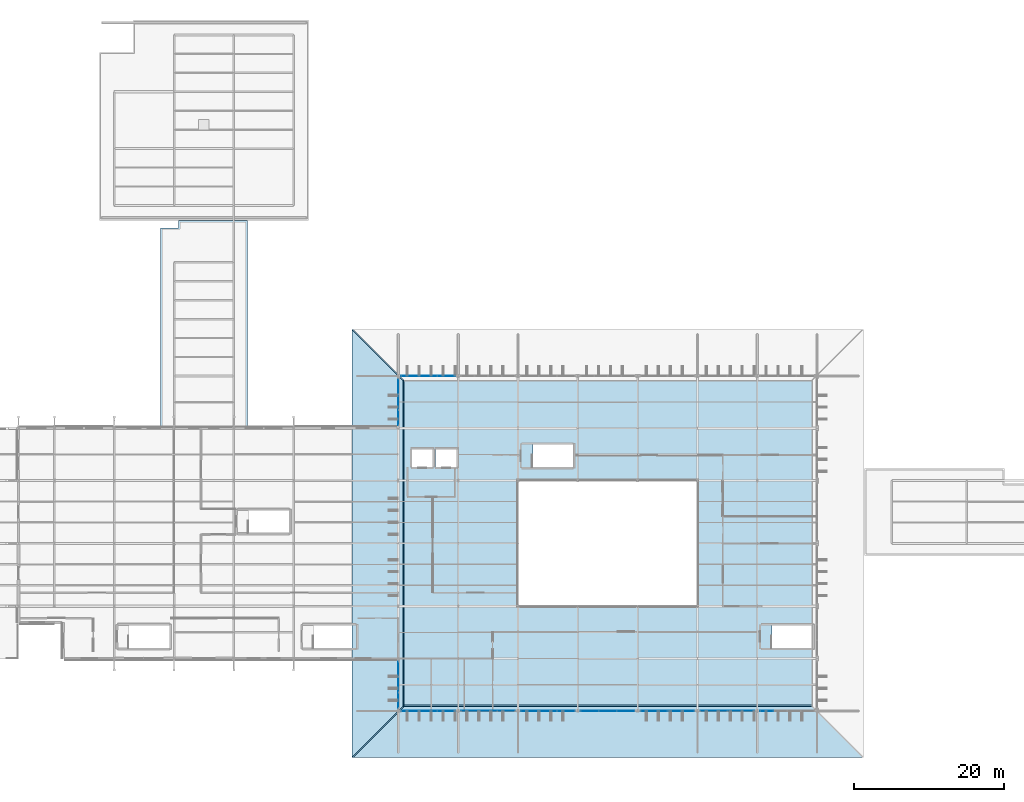
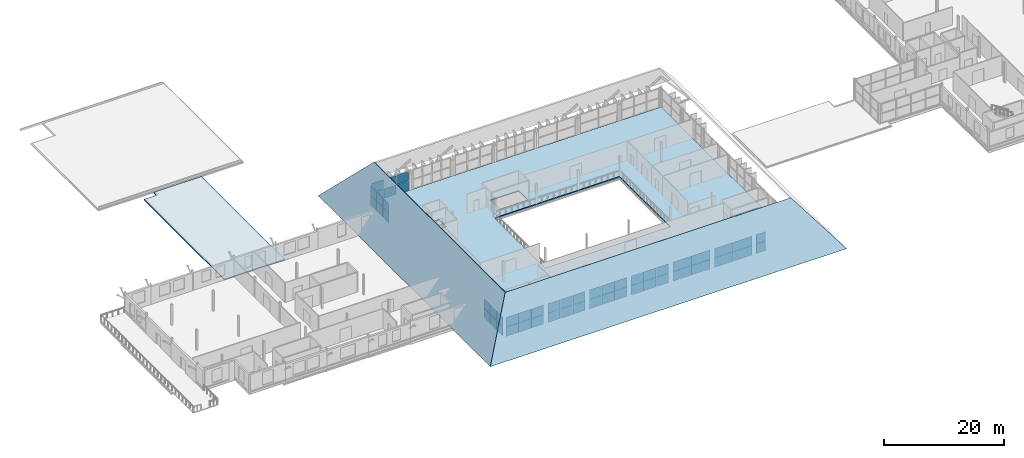
# One storey, part 75 of 93: 52 plates, 4 slabs, 10 elements without a shape of their own.
"""IFC4 building model written with IfcOpenShell, lengths in metres."""

from ifc_helpers import new_model, si_unit, direction, frame, origin, origin_2d, place, context, subcontext, project, spatial, polyline, rectangle, outline, extrude, material, layer, layer_set, type_object, element, aggregate, save


model = new_model("IFC4")

# Units and contexts
model_context = context("Model", 3, precision=1e-05, world=origin(), true_north=direction((0.0, 1.0)))
body_context = subcontext(model_context, "Body", "Model", "MODEL_VIEW")
ifc_project = project(units=[si_unit("LENGTHUNIT", "METRE"), si_unit("AREAUNIT", "SQUARE_METRE"), si_unit("VOLUMEUNIT", "CUBIC_METRE"), si_unit("PLANEANGLEUNIT", "RADIAN"), si_unit("MASSUNIT", "GRAM", prefix="KILO")], contexts=[model_context])

# Site, building, storey
site_placement = place(None, origin())
site = spatial("IfcSite", under=ifc_project, at=site_placement, CompositionType="ELEMENT")
building_placement = place(site_placement, origin())
building = spatial("IfcBuilding", under=site, at=building_placement, Name="Vekula Escarpment Museum", CompositionType="ELEMENT")
storey_placement = place(building_placement, frame((0.0, 0.0, 22.199951171875)))
storey = spatial("IfcBuildingStorey", under=building, at=storey_placement, Name="L05", CompositionType="ELEMENT", Elevation=22.199951171875)

# Curtain wall, plates
ifc_material_1 = material(Name="Aluminium thermally broken framing", Category="aluminium")
ifc_layer_1 = layer(ifc_material_1, 0.199951171875)
ifc_layer_set_1 = layer_set([ifc_layer_1], Name="Aluminium thermally broken framing")
curtain_wall_type_1 = type_object("IfcCurtainWallType", Name="CW-SYS-04", PredefinedType="NOTDEFINED", material=ifc_layer_set_1)
curtain_wall_1_placement = place(storey_placement, origin())
curtain_wall_1 = element("IfcCurtainWall", 1, at=curtain_wall_1_placement, inside=storey, type_object=curtain_wall_type_1, Name="Curtain Wall CW-L05-164", PredefinedType="NOTDEFINED")
ifc_material_2 = material(Name="Double solar-control low-E glass", Category="glass")
ifc_layer_2 = layer(ifc_material_2, 0.028076171875)
ifc_layer_set_2 = layer_set([ifc_layer_2], Name="Double solar-control low-E glass")
plate_type_1 = type_object("IfcPlateType", Name="CW-PNL-28", PredefinedType="CURTAIN_PANEL", material=ifc_layer_set_2)
plate_1_placement = place(storey_placement, frame((79.58837890625, 45.60009765625, 0.06005859375), z_axis=(0.0, 0.0, 1.0), x_axis=(1.0, 0.0, 0.0)))
plate_1 = element("IfcPlate", 2, at=plate_1_placement, type_object=plate_type_1, Name="CW-04 panel 1.1", PredefinedType="CURTAIN_PANEL", context=body_context, shape_type="SweptSolid", body=[
    extrude(rectangle(XDim=2.336669921875, YDim=0.028076171875, at=origin_2d()), origin(), (0.0, 0.0, 1.0), 1.89990234375),
])
plate_2_placement = place(storey_placement, frame((79.58837890625, 45.60009765625, 2.02001953125), z_axis=(0.0, 0.0, 1.0), x_axis=(1.0, 0.0, 0.0)))
plate_2 = element("IfcPlate", 3, at=plate_2_placement, type_object=plate_type_1, Name="CW-04 panel 1.2", PredefinedType="CURTAIN_PANEL", context=body_context, shape_type="SweptSolid", body=[
    extrude(rectangle(XDim=2.336669921875, YDim=0.028076171875, at=origin_2d()), origin(), (0.0, 0.0, 1.0), 1.89990234375),
])
plate_3_placement = place(storey_placement, frame((82.0, 45.60009765625, 0.06005859375), z_axis=(0.0, 0.0, 1.0), x_axis=(1.0, 0.0, 0.0)))
plate_3 = element("IfcPlate", 4, at=plate_3_placement, type_object=plate_type_1, Name="CW-04 panel 2.1", PredefinedType="CURTAIN_PANEL", context=body_context, shape_type="SweptSolid", body=[
    extrude(rectangle(XDim=2.36669921875, YDim=0.028076171875, at=origin_2d()), origin(), (0.0, 0.0, 1.0), 1.89990234375),
])
plate_4_placement = place(storey_placement, frame((82.0, 45.60009765625, 2.02001953125), z_axis=(0.0, 0.0, 1.0), x_axis=(1.0, 0.0, 0.0)))
plate_4 = element("IfcPlate", 5, at=plate_4_placement, type_object=plate_type_1, Name="CW-04 panel 2.2", PredefinedType="CURTAIN_PANEL", context=body_context, shape_type="SweptSolid", body=[
    extrude(rectangle(XDim=2.36669921875, YDim=0.028076171875, at=origin_2d()), origin(), (0.0, 0.0, 1.0), 1.89990234375),
])
plate_5_placement = place(storey_placement, frame((84.41162109375, 45.60009765625, 0.06005859375), z_axis=(0.0, 0.0, 1.0), x_axis=(1.0, 0.0, 0.0)))
plate_5 = element("IfcPlate", 6, at=plate_5_placement, type_object=plate_type_1, Name="CW-04 panel 3.1", PredefinedType="CURTAIN_PANEL", context=body_context, shape_type="SweptSolid", body=[
    extrude(rectangle(XDim=2.336669921875, YDim=0.028076171875, at=origin_2d()), origin(), (0.0, 0.0, 1.0), 1.89990234375),
])
plate_6_placement = place(storey_placement, frame((84.41162109375, 45.60009765625, 2.02001953125), z_axis=(0.0, 0.0, 1.0), x_axis=(1.0, 0.0, 0.0)))
plate_6 = element("IfcPlate", 7, at=plate_6_placement, type_object=plate_type_1, Name="CW-04 panel 3.2", PredefinedType="CURTAIN_PANEL", context=body_context, shape_type="SweptSolid", body=[
    extrude(rectangle(XDim=2.336669921875, YDim=0.028076171875, at=origin_2d()), origin(), (0.0, 0.0, 1.0), 1.89990234375),
])
aggregate(curtain_wall_1, [plate_1, plate_2, plate_3, plate_4, plate_5, plate_6])

ifc_material_3 = material(Name="Aluminium thermally broken framing", Category="aluminium")
ifc_layer_3 = layer(ifc_material_3, 0.179931640625)
ifc_layer_set_3 = layer_set([ifc_layer_3], Name="Aluminium thermally broken framing")
curtain_wall_type_2 = type_object("IfcCurtainWallType", Name="CW-SYS-08", PredefinedType="NOTDEFINED", material=ifc_layer_set_3)
curtain_wall_2_placement = place(storey_placement, origin())
curtain_wall_2 = element("IfcCurtainWall", 8, at=curtain_wall_2_placement, inside=storey, type_object=curtain_wall_type_2, Name="Curtain Wall CW-L05-168", PredefinedType="NOTDEFINED")
plate_7_placement = place(storey_placement, frame((112.195068359375, 45.60009765625, 0.06005859375), z_axis=(0.0, 0.0, 1.0), x_axis=(1.0, 0.0, 0.0)))
plate_7 = element("IfcPlate", 9, at=plate_7_placement, type_object=plate_type_1, Name="CW-08 panel 1.1", PredefinedType="CURTAIN_PANEL", context=body_context, shape_type="SweptSolid", body=[
    extrude(rectangle(XDim=3.550048828125, YDim=0.028076171875, at=origin_2d()), origin(), (0.0, 0.0, 1.0), 1.89990234375),
])
plate_8_placement = place(storey_placement, frame((112.195068359375, 45.60009765625, 2.02001953125), z_axis=(0.0, 0.0, 1.0), x_axis=(1.0, 0.0, 0.0)))
plate_8 = element("IfcPlate", 10, at=plate_8_placement, type_object=plate_type_1, Name="CW-08 panel 1.2", PredefinedType="CURTAIN_PANEL", context=body_context, shape_type="SweptSolid", body=[
    extrude(rectangle(XDim=3.550048828125, YDim=0.028076171875, at=origin_2d()), origin(), (0.0, 0.0, 1.0), 1.89990234375),
])
plate_9_placement = place(storey_placement, frame((115.804931640625, 45.60009765625, 0.06005859375), z_axis=(0.0, 0.0, 1.0), x_axis=(1.0, 0.0, 0.0)))
plate_9 = element("IfcPlate", 11, at=plate_9_placement, type_object=plate_type_1, Name="CW-08 panel 2.1", PredefinedType="CURTAIN_PANEL", context=body_context, shape_type="SweptSolid", body=[
    extrude(rectangle(XDim=3.550048828125, YDim=0.028076171875, at=origin_2d()), origin(), (0.0, 0.0, 1.0), 1.89990234375),
])
plate_10_placement = place(storey_placement, frame((115.804931640625, 45.60009765625, 2.02001953125), z_axis=(0.0, 0.0, 1.0), x_axis=(1.0, 0.0, 0.0)))
plate_10 = element("IfcPlate", 12, at=plate_10_placement, type_object=plate_type_1, Name="CW-08 panel 2.2", PredefinedType="CURTAIN_PANEL", context=body_context, shape_type="SweptSolid", body=[
    extrude(rectangle(XDim=3.550048828125, YDim=0.028076171875, at=origin_2d()), origin(), (0.0, 0.0, 1.0), 1.89990234375),
])
aggregate(curtain_wall_2, [plate_7, plate_8, plate_9, plate_10])

ifc_material_4 = material(Name="Aluminium thermally broken framing", Category="aluminium")
ifc_layer_4 = layer(ifc_material_4, 0.159912109375)
ifc_layer_set_4 = layer_set([ifc_layer_4], Name="Aluminium thermally broken framing")
curtain_wall_type_3 = type_object("IfcCurtainWallType", Name="CW-SYS-05", PredefinedType="NOTDEFINED", material=ifc_layer_set_4)
curtain_wall_3_placement = place(storey_placement, origin())
curtain_wall_3 = element("IfcCurtainWall", 13, at=curtain_wall_3_placement, inside=storey, type_object=curtain_wall_type_3, Name="Curtain Wall CW-L05-165", PredefinedType="NOTDEFINED")
ifc_material_5 = material(Name="Acoustic laminated double low-E glass", Category="glass")
ifc_layer_5 = layer(ifc_material_5, 0.031982421875)
ifc_layer_set_5 = layer_set([ifc_layer_5], Name="Acoustic laminated double low-E glass")
plate_type_2 = type_object("IfcPlateType", Name="CW-PNL-32", PredefinedType="CURTAIN_PANEL", material=ifc_layer_set_5)
plate_11_placement = place(storey_placement, frame((87.58837890625, 45.60009765625, 0.06005859375), z_axis=(0.0, 0.0, 1.0), x_axis=(1.0, 0.0, 0.0)))
plate_11 = element("IfcPlate", 14, at=plate_11_placement, type_object=plate_type_2, Name="CW-05 panel 1.1", PredefinedType="CURTAIN_PANEL", context=body_context, shape_type="SweptSolid", body=[
    extrude(rectangle(XDim=2.336669921875, YDim=0.031982421875, at=origin_2d()), origin(), (0.0, 0.0, 1.0), 1.89990234375),
])
plate_12_placement = place(storey_placement, frame((87.58837890625, 45.60009765625, 2.02001953125), z_axis=(0.0, 0.0, 1.0), x_axis=(1.0, 0.0, 0.0)))
plate_12 = element("IfcPlate", 15, at=plate_12_placement, type_object=plate_type_2, Name="CW-05 panel 1.2", PredefinedType="CURTAIN_PANEL", context=body_context, shape_type="SweptSolid", body=[
    extrude(rectangle(XDim=2.336669921875, YDim=0.031982421875, at=origin_2d()), origin(), (0.0, 0.0, 1.0), 1.89990234375),
])
plate_13_placement = place(storey_placement, frame((90.0, 45.60009765625, 0.06005859375), z_axis=(0.0, 0.0, 1.0), x_axis=(1.0, 0.0, 0.0)))
plate_13 = element("IfcPlate", 16, at=plate_13_placement, type_object=plate_type_2, Name="CW-05 panel 2.1", PredefinedType="CURTAIN_PANEL", context=body_context, shape_type="SweptSolid", body=[
    extrude(rectangle(XDim=2.36669921875, YDim=0.031982421875, at=origin_2d()), origin(), (0.0, 0.0, 1.0), 1.89990234375),
])
plate_14_placement = place(storey_placement, frame((90.0, 45.60009765625, 2.02001953125), z_axis=(0.0, 0.0, 1.0), x_axis=(1.0, 0.0, 0.0)))
plate_14 = element("IfcPlate", 17, at=plate_14_placement, type_object=plate_type_2, Name="CW-05 panel 2.2", PredefinedType="CURTAIN_PANEL", context=body_context, shape_type="SweptSolid", body=[
    extrude(rectangle(XDim=2.36669921875, YDim=0.031982421875, at=origin_2d()), origin(), (0.0, 0.0, 1.0), 1.89990234375),
])
plate_15_placement = place(storey_placement, frame((92.41162109375, 45.60009765625, 0.06005859375), z_axis=(0.0, 0.0, 1.0), x_axis=(1.0, 0.0, 0.0)))
plate_15 = element("IfcPlate", 18, at=plate_15_placement, type_object=plate_type_2, Name="CW-05 panel 3.1", PredefinedType="CURTAIN_PANEL", context=body_context, shape_type="SweptSolid", body=[
    extrude(rectangle(XDim=2.336669921875, YDim=0.031982421875, at=origin_2d()), origin(), (0.0, 0.0, 1.0), 1.89990234375),
])
plate_16_placement = place(storey_placement, frame((92.41162109375, 45.60009765625, 2.02001953125), z_axis=(0.0, 0.0, 1.0), x_axis=(1.0, 0.0, 0.0)))
plate_16 = element("IfcPlate", 19, at=plate_16_placement, type_object=plate_type_2, Name="CW-05 panel 3.2", PredefinedType="CURTAIN_PANEL", context=body_context, shape_type="SweptSolid", body=[
    extrude(rectangle(XDim=2.336669921875, YDim=0.031982421875, at=origin_2d()), origin(), (0.0, 0.0, 1.0), 1.89990234375),
])
aggregate(curtain_wall_3, [plate_11, plate_12, plate_13, plate_14, plate_15, plate_16])

ifc_material_6 = material(Name="Aluminium thermally broken framing", Category="aluminium")
ifc_layer_6 = layer(ifc_material_6, 0.14990234375)
ifc_layer_set_6 = layer_set([ifc_layer_6], Name="Aluminium thermally broken framing")
curtain_wall_type_4 = type_object("IfcCurtainWallType", Name="CW-SYS-09", PredefinedType="NOTDEFINED", material=ifc_layer_set_6)
curtain_wall_4_placement = place(storey_placement, origin())
curtain_wall_4 = element("IfcCurtainWall", 20, at=curtain_wall_4_placement, inside=storey, type_object=curtain_wall_type_4, Name="Curtain Wall CW-L05-169", PredefinedType="NOTDEFINED")
plate_17_placement = place(storey_placement, frame((119.284912109375, 45.60009765625, 0.06005859375), z_axis=(0.0, 0.0, 1.0), x_axis=(1.0, 0.0, 0.0)))
plate_17 = element("IfcPlate", 21, at=plate_17_placement, type_object=plate_type_2, Name="CW-09 panel 1.1", PredefinedType="CURTAIN_PANEL", context=body_context, shape_type="SweptSolid", body=[
    extrude(rectangle(XDim=1.72998046875, YDim=0.031982421875, at=origin_2d()), origin(), (0.0, 0.0, 1.0), 1.89990234375),
])
plate_18_placement = place(storey_placement, frame((119.284912109375, 45.60009765625, 2.02001953125), z_axis=(0.0, 0.0, 1.0), x_axis=(1.0, 0.0, 0.0)))
plate_18 = element("IfcPlate", 22, at=plate_18_placement, type_object=plate_type_2, Name="CW-09 panel 1.2", PredefinedType="CURTAIN_PANEL", context=body_context, shape_type="SweptSolid", body=[
    extrude(rectangle(XDim=1.72998046875, YDim=0.031982421875, at=origin_2d()), origin(), (0.0, 0.0, 1.0), 1.89990234375),
])
aggregate(curtain_wall_4, [plate_17, plate_18])

ifc_material_7 = material(Name="Aluminium thermally broken framing", Category="aluminium")
ifc_layer_7 = layer(ifc_material_7, 0.159912109375)
ifc_layer_set_7 = layer_set([ifc_layer_7], Name="Aluminium thermally broken framing")
curtain_wall_type_5 = type_object("IfcCurtainWallType", Name="CW-SYS-02", PredefinedType="NOTDEFINED", material=ifc_layer_set_7)
curtain_wall_5_placement = place(storey_placement, origin())
curtain_wall_5 = element("IfcCurtainWall", 23, at=curtain_wall_5_placement, inside=storey, type_object=curtain_wall_type_5, Name="Curtain Wall CW-L05-162", PredefinedType="NOTDEFINED")
ifc_material_8 = material(Name="Triple UV-filtered museum gallery glass", Category="glass")
ifc_layer_8 = layer(ifc_material_8, 0.035888671875)
ifc_layer_set_8 = layer_set([ifc_layer_8], Name="Triple UV-filtered museum gallery glass")
plate_type_3 = type_object("IfcPlateType", Name="CW-PNL-36", PredefinedType="CURTAIN_PANEL", material=ifc_layer_set_8)
plate_19_placement = place(storey_placement, frame((70.0, 51.17822265625, 0.06005859375), z_axis=(0.0, 0.0, 1.0), x_axis=(0.0, -1.0, 0.0)))
plate_19 = element("IfcPlate", 24, at=plate_19_placement, type_object=plate_type_3, Name="CW-02 panel 1.1", PredefinedType="CURTAIN_PANEL", context=body_context, shape_type="SweptSolid", body=[
    extrude(rectangle(XDim=2.00341796875, YDim=0.035888671875, at=origin_2d()), origin(), (0.0, 0.0, 1.0), 1.89990234375),
])
plate_20_placement = place(storey_placement, frame((70.0, 51.17822265625, 2.02001953125), z_axis=(0.0, 0.0, 1.0), x_axis=(0.0, -1.0, 0.0)))
plate_20 = element("IfcPlate", 25, at=plate_20_placement, type_object=plate_type_3, Name="CW-02 panel 1.2", PredefinedType="CURTAIN_PANEL", context=body_context, shape_type="SweptSolid", body=[
    extrude(rectangle(XDim=2.00341796875, YDim=0.035888671875, at=origin_2d()), origin(), (0.0, 0.0, 1.0), 1.89990234375),
])
plate_21_placement = place(storey_placement, frame((70.0, 49.10009765625, 0.06005859375), z_axis=(0.0, 0.0, 1.0), x_axis=(0.0, -1.0, 0.0)))
plate_21 = element("IfcPlate", 26, at=plate_21_placement, type_object=plate_type_3, Name="CW-02 panel 2.1", PredefinedType="CURTAIN_PANEL", context=body_context, shape_type="SweptSolid", body=[
    extrude(rectangle(XDim=2.033447265625, YDim=0.035888671875, at=origin_2d()), origin(), (0.0, 0.0, 1.0), 1.89990234375),
])
plate_22_placement = place(storey_placement, frame((70.0, 49.10009765625, 2.02001953125), z_axis=(0.0, 0.0, 1.0), x_axis=(0.0, -1.0, 0.0)))
plate_22 = element("IfcPlate", 27, at=plate_22_placement, type_object=plate_type_3, Name="CW-02 panel 2.2", PredefinedType="CURTAIN_PANEL", context=body_context, shape_type="SweptSolid", body=[
    extrude(rectangle(XDim=2.033447265625, YDim=0.035888671875, at=origin_2d()), origin(), (0.0, 0.0, 1.0), 1.89990234375),
])
plate_23_placement = place(storey_placement, frame((70.0, 47.021728515625, 0.06005859375), z_axis=(0.0, 0.0, 1.0), x_axis=(0.0, -1.0, 0.0)))
plate_23 = element("IfcPlate", 28, at=plate_23_placement, type_object=plate_type_3, Name="CW-02 panel 3.1", PredefinedType="CURTAIN_PANEL", context=body_context, shape_type="SweptSolid", body=[
    extrude(rectangle(XDim=2.00341796875, YDim=0.035888671875, at=origin_2d()), origin(), (0.0, 0.0, 1.0), 1.89990234375),
])
plate_24_placement = place(storey_placement, frame((70.0, 47.021728515625, 2.02001953125), z_axis=(0.0, 0.0, 1.0), x_axis=(0.0, -1.0, 0.0)))
plate_24 = element("IfcPlate", 29, at=plate_24_placement, type_object=plate_type_3, Name="CW-02 panel 3.2", PredefinedType="CURTAIN_PANEL", context=body_context, shape_type="SweptSolid", body=[
    extrude(rectangle(XDim=2.00341796875, YDim=0.035888671875, at=origin_2d()), origin(), (0.0, 0.0, 1.0), 1.89990234375),
])
aggregate(curtain_wall_5, [plate_19, plate_20, plate_21, plate_22, plate_23, plate_24])

ifc_material_9 = material(Name="Aluminium thermally broken framing", Category="aluminium")
ifc_layer_9 = layer(ifc_material_9, 0.139892578125)
ifc_layer_set_9 = layer_set([ifc_layer_9], Name="Aluminium thermally broken framing")
curtain_wall_type_6 = type_object("IfcCurtainWallType", Name="CW-SYS-06", PredefinedType="NOTDEFINED", material=ifc_layer_set_9)
curtain_wall_6_placement = place(storey_placement, origin())
curtain_wall_6 = element("IfcCurtainWall", 30, at=curtain_wall_6_placement, inside=storey, type_object=curtain_wall_type_6, Name="Curtain Wall CW-L05-166", PredefinedType="NOTDEFINED")
plate_25_placement = place(storey_placement, frame((95.58837890625, 45.60009765625, 0.06005859375), z_axis=(0.0, 0.0, 1.0), x_axis=(1.0, 0.0, 0.0)))
plate_25 = element("IfcPlate", 31, at=plate_25_placement, type_object=plate_type_3, Name="CW-06 panel 1.1", PredefinedType="CURTAIN_PANEL", context=body_context, shape_type="SweptSolid", body=[
    extrude(rectangle(XDim=2.336669921875, YDim=0.035888671875, at=origin_2d()), origin(), (0.0, 0.0, 1.0), 1.89990234375),
])
plate_26_placement = place(storey_placement, frame((95.58837890625, 45.60009765625, 2.02001953125), z_axis=(0.0, 0.0, 1.0), x_axis=(1.0, 0.0, 0.0)))
plate_26 = element("IfcPlate", 32, at=plate_26_placement, type_object=plate_type_3, Name="CW-06 panel 1.2", PredefinedType="CURTAIN_PANEL", context=body_context, shape_type="SweptSolid", body=[
    extrude(rectangle(XDim=2.336669921875, YDim=0.035888671875, at=origin_2d()), origin(), (0.0, 0.0, 1.0), 1.89990234375),
])
plate_27_placement = place(storey_placement, frame((98.0, 45.60009765625, 0.06005859375), z_axis=(0.0, 0.0, 1.0), x_axis=(1.0, 0.0, 0.0)))
plate_27 = element("IfcPlate", 33, at=plate_27_placement, type_object=plate_type_3, Name="CW-06 panel 2.1", PredefinedType="CURTAIN_PANEL", context=body_context, shape_type="SweptSolid", body=[
    extrude(rectangle(XDim=2.36669921875, YDim=0.035888671875, at=origin_2d()), origin(), (0.0, 0.0, 1.0), 1.89990234375),
])
plate_28_placement = place(storey_placement, frame((98.0, 45.60009765625, 2.02001953125), z_axis=(0.0, 0.0, 1.0), x_axis=(1.0, 0.0, 0.0)))
plate_28 = element("IfcPlate", 34, at=plate_28_placement, type_object=plate_type_3, Name="CW-06 panel 2.2", PredefinedType="CURTAIN_PANEL", context=body_context, shape_type="SweptSolid", body=[
    extrude(rectangle(XDim=2.36669921875, YDim=0.035888671875, at=origin_2d()), origin(), (0.0, 0.0, 1.0), 1.89990234375),
])
plate_29_placement = place(storey_placement, frame((100.41162109375, 45.60009765625, 0.06005859375), z_axis=(0.0, 0.0, 1.0), x_axis=(1.0, 0.0, 0.0)))
plate_29 = element("IfcPlate", 35, at=plate_29_placement, type_object=plate_type_3, Name="CW-06 panel 3.1", PredefinedType="CURTAIN_PANEL", context=body_context, shape_type="SweptSolid", body=[
    extrude(rectangle(XDim=2.336669921875, YDim=0.035888671875, at=origin_2d()), origin(), (0.0, 0.0, 1.0), 1.89990234375),
])
plate_30_placement = place(storey_placement, frame((100.41162109375, 45.60009765625, 2.02001953125), z_axis=(0.0, 0.0, 1.0), x_axis=(1.0, 0.0, 0.0)))
plate_30 = element("IfcPlate", 36, at=plate_30_placement, type_object=plate_type_3, Name="CW-06 panel 3.2", PredefinedType="CURTAIN_PANEL", context=body_context, shape_type="SweptSolid", body=[
    extrude(rectangle(XDim=2.336669921875, YDim=0.035888671875, at=origin_2d()), origin(), (0.0, 0.0, 1.0), 1.89990234375),
])
aggregate(curtain_wall_6, [plate_25, plate_26, plate_27, plate_28, plate_29, plate_30])

curtain_wall_7_placement = place(storey_placement, origin())
curtain_wall_7 = element("IfcCurtainWall", 37, at=curtain_wall_7_placement, inside=storey, type_object=curtain_wall_type_5, Name="Curtain Wall CW-L05-182", PredefinedType="NOTDEFINED")
plate_31_placement = place(storey_placement, frame((76.41162109375, 90.39990234375, 0.06005859375), z_axis=(0.0, 0.0, 1.0), x_axis=(-1.0, 0.0, 0.0)))
plate_31 = element("IfcPlate", 38, at=plate_31_placement, type_object=plate_type_3, Name="CW-02 panel 1.1", PredefinedType="CURTAIN_PANEL", context=body_context, shape_type="SweptSolid", body=[
    extrude(rectangle(XDim=2.336669921875, YDim=0.035888671875, at=origin_2d()), origin(), (0.0, 0.0, 1.0), 1.89990234375),
])
plate_32_placement = place(storey_placement, frame((76.41162109375, 90.39990234375, 2.02001953125), z_axis=(0.0, 0.0, 1.0), x_axis=(-1.0, 0.0, 0.0)))
plate_32 = element("IfcPlate", 39, at=plate_32_placement, type_object=plate_type_3, Name="CW-02 panel 1.2", PredefinedType="CURTAIN_PANEL", context=body_context, shape_type="SweptSolid", body=[
    extrude(rectangle(XDim=2.336669921875, YDim=0.035888671875, at=origin_2d()), origin(), (0.0, 0.0, 1.0), 1.89990234375),
])
plate_33_placement = place(storey_placement, frame((74.0, 90.39990234375, 0.06005859375), z_axis=(0.0, 0.0, 1.0), x_axis=(-1.0, 0.0, 0.0)))
plate_33 = element("IfcPlate", 40, at=plate_33_placement, type_object=plate_type_3, Name="CW-02 panel 2.1", PredefinedType="CURTAIN_PANEL", context=body_context, shape_type="SweptSolid", body=[
    extrude(rectangle(XDim=2.36669921875, YDim=0.035888671875, at=origin_2d()), origin(), (0.0, 0.0, 1.0), 1.89990234375),
])
plate_34_placement = place(storey_placement, frame((74.0, 90.39990234375, 2.02001953125), z_axis=(0.0, 0.0, 1.0), x_axis=(-1.0, 0.0, 0.0)))
plate_34 = element("IfcPlate", 41, at=plate_34_placement, type_object=plate_type_3, Name="CW-02 panel 2.2", PredefinedType="CURTAIN_PANEL", context=body_context, shape_type="SweptSolid", body=[
    extrude(rectangle(XDim=2.36669921875, YDim=0.035888671875, at=origin_2d()), origin(), (0.0, 0.0, 1.0), 1.89990234375),
])
plate_35_placement = place(storey_placement, frame((71.58837890625, 90.39990234375, 0.06005859375), z_axis=(0.0, 0.0, 1.0), x_axis=(-1.0, 0.0, 0.0)))
plate_35 = element("IfcPlate", 42, at=plate_35_placement, type_object=plate_type_3, Name="CW-02 panel 3.1", PredefinedType="CURTAIN_PANEL", context=body_context, shape_type="SweptSolid", body=[
    extrude(rectangle(XDim=2.336669921875, YDim=0.035888671875, at=origin_2d()), origin(), (0.0, 0.0, 1.0), 1.89990234375),
])
plate_36_placement = place(storey_placement, frame((71.58837890625, 90.39990234375, 2.02001953125), z_axis=(0.0, 0.0, 1.0), x_axis=(-1.0, 0.0, 0.0)))
plate_36 = element("IfcPlate", 43, at=plate_36_placement, type_object=plate_type_3, Name="CW-02 panel 3.2", PredefinedType="CURTAIN_PANEL", context=body_context, shape_type="SweptSolid", body=[
    extrude(rectangle(XDim=2.336669921875, YDim=0.035888671875, at=origin_2d()), origin(), (0.0, 0.0, 1.0), 1.89990234375),
])
aggregate(curtain_wall_7, [plate_31, plate_32, plate_33, plate_34, plate_35, plate_36])

ifc_material_10 = material(Name="Aluminium thermally broken framing", Category="aluminium")
ifc_layer_10 = layer(ifc_material_10, 0.199951171875)
ifc_layer_set_10 = layer_set([ifc_layer_10], Name="Aluminium thermally broken framing")
curtain_wall_type_7 = type_object("IfcCurtainWallType", Name="CW-SYS-03", PredefinedType="NOTDEFINED", material=ifc_layer_set_10)
curtain_wall_8_placement = place(storey_placement, origin())
curtain_wall_8 = element("IfcCurtainWall", 44, at=curtain_wall_8_placement, inside=storey, type_object=curtain_wall_type_7, Name="Curtain Wall CW-L05-163", PredefinedType="NOTDEFINED")
ifc_material_11 = material(Name="Insulated bronze spandrel glass panel", Category="glass")
ifc_layer_11 = layer(ifc_material_11, 0.0400390625)
ifc_layer_set_11 = layer_set([ifc_layer_11], Name="Insulated bronze spandrel glass panel")
plate_type_4 = type_object("IfcPlateType", Name="CW-PNL-40", PredefinedType="CURTAIN_PANEL", material=ifc_layer_set_11)
plate_37_placement = place(storey_placement, frame((71.58837890625, 45.60009765625, 0.06005859375), z_axis=(0.0, 0.0, 1.0), x_axis=(1.0, 0.0, 0.0)))
plate_37 = element("IfcPlate", 45, at=plate_37_placement, type_object=plate_type_4, Name="CW-03 panel 1.1", PredefinedType="CURTAIN_PANEL", context=body_context, shape_type="SweptSolid", body=[
    extrude(rectangle(XDim=2.336669921875, YDim=0.0400390625, at=origin_2d()), origin(), (0.0, 0.0, 1.0), 1.89990234375),
])
plate_38_placement = place(storey_placement, frame((71.58837890625, 45.60009765625, 2.02001953125), z_axis=(0.0, 0.0, 1.0), x_axis=(1.0, 0.0, 0.0)))
plate_38 = element("IfcPlate", 46, at=plate_38_placement, type_object=plate_type_4, Name="CW-03 panel 1.2", PredefinedType="CURTAIN_PANEL", context=body_context, shape_type="SweptSolid", body=[
    extrude(rectangle(XDim=2.336669921875, YDim=0.0400390625, at=origin_2d()), origin(), (0.0, 0.0, 1.0), 1.89990234375),
])
plate_39_placement = place(storey_placement, frame((74.0, 45.60009765625, 0.06005859375), z_axis=(0.0, 0.0, 1.0), x_axis=(1.0, 0.0, 0.0)))
plate_39 = element("IfcPlate", 47, at=plate_39_placement, type_object=plate_type_4, Name="CW-03 panel 2.1", PredefinedType="CURTAIN_PANEL", context=body_context, shape_type="SweptSolid", body=[
    extrude(rectangle(XDim=2.36669921875, YDim=0.0400390625, at=origin_2d()), origin(), (0.0, 0.0, 1.0), 1.89990234375),
])
plate_40_placement = place(storey_placement, frame((74.0, 45.60009765625, 2.02001953125), z_axis=(0.0, 0.0, 1.0), x_axis=(1.0, 0.0, 0.0)))
plate_40 = element("IfcPlate", 48, at=plate_40_placement, type_object=plate_type_4, Name="CW-03 panel 2.2", PredefinedType="CURTAIN_PANEL", context=body_context, shape_type="SweptSolid", body=[
    extrude(rectangle(XDim=2.36669921875, YDim=0.0400390625, at=origin_2d()), origin(), (0.0, 0.0, 1.0), 1.89990234375),
])
plate_41_placement = place(storey_placement, frame((76.41162109375, 45.60009765625, 0.06005859375), z_axis=(0.0, 0.0, 1.0), x_axis=(1.0, 0.0, 0.0)))
plate_41 = element("IfcPlate", 49, at=plate_41_placement, type_object=plate_type_4, Name="CW-03 panel 3.1", PredefinedType="CURTAIN_PANEL", context=body_context, shape_type="SweptSolid", body=[
    extrude(rectangle(XDim=2.336669921875, YDim=0.0400390625, at=origin_2d()), origin(), (0.0, 0.0, 1.0), 1.89990234375),
])
plate_42_placement = place(storey_placement, frame((76.41162109375, 45.60009765625, 2.02001953125), z_axis=(0.0, 0.0, 1.0), x_axis=(1.0, 0.0, 0.0)))
plate_42 = element("IfcPlate", 50, at=plate_42_placement, type_object=plate_type_4, Name="CW-03 panel 3.2", PredefinedType="CURTAIN_PANEL", context=body_context, shape_type="SweptSolid", body=[
    extrude(rectangle(XDim=2.336669921875, YDim=0.0400390625, at=origin_2d()), origin(), (0.0, 0.0, 1.0), 1.89990234375),
])
aggregate(curtain_wall_8, [plate_37, plate_38, plate_39, plate_40, plate_41, plate_42])

ifc_material_12 = material(Name="Aluminium thermally broken framing", Category="aluminium")
ifc_layer_12 = layer(ifc_material_12, 0.179931640625)
ifc_layer_set_12 = layer_set([ifc_layer_12], Name="Aluminium thermally broken framing")
curtain_wall_type_8 = type_object("IfcCurtainWallType", Name="CW-SYS-07", PredefinedType="NOTDEFINED", material=ifc_layer_set_12)
curtain_wall_9_placement = place(storey_placement, origin())
curtain_wall_9 = element("IfcCurtainWall", 51, at=curtain_wall_9_placement, inside=storey, type_object=curtain_wall_type_8, Name="Curtain Wall CW-L05-167", PredefinedType="NOTDEFINED")
plate_43_placement = place(storey_placement, frame((104.195068359375, 45.60009765625, 0.06005859375), z_axis=(0.0, 0.0, 1.0), x_axis=(1.0, 0.0, 0.0)))
plate_43 = element("IfcPlate", 52, at=plate_43_placement, type_object=plate_type_4, Name="CW-07 panel 1.1", PredefinedType="CURTAIN_PANEL", context=body_context, shape_type="SweptSolid", body=[
    extrude(rectangle(XDim=3.550048828125, YDim=0.0400390625, at=origin_2d()), origin(), (0.0, 0.0, 1.0), 1.89990234375),
])
plate_44_placement = place(storey_placement, frame((104.195068359375, 45.60009765625, 2.02001953125), z_axis=(0.0, 0.0, 1.0), x_axis=(1.0, 0.0, 0.0)))
plate_44 = element("IfcPlate", 53, at=plate_44_placement, type_object=plate_type_4, Name="CW-07 panel 1.2", PredefinedType="CURTAIN_PANEL", context=body_context, shape_type="SweptSolid", body=[
    extrude(rectangle(XDim=3.550048828125, YDim=0.0400390625, at=origin_2d()), origin(), (0.0, 0.0, 1.0), 1.89990234375),
])
plate_45_placement = place(storey_placement, frame((107.804931640625, 45.60009765625, 0.06005859375), z_axis=(0.0, 0.0, 1.0), x_axis=(1.0, 0.0, 0.0)))
plate_45 = element("IfcPlate", 54, at=plate_45_placement, type_object=plate_type_4, Name="CW-07 panel 2.1", PredefinedType="CURTAIN_PANEL", context=body_context, shape_type="SweptSolid", body=[
    extrude(rectangle(XDim=3.550048828125, YDim=0.0400390625, at=origin_2d()), origin(), (0.0, 0.0, 1.0), 1.89990234375),
])
plate_46_placement = place(storey_placement, frame((107.804931640625, 45.60009765625, 2.02001953125), z_axis=(0.0, 0.0, 1.0), x_axis=(1.0, 0.0, 0.0)))
plate_46 = element("IfcPlate", 55, at=plate_46_placement, type_object=plate_type_4, Name="CW-07 panel 2.2", PredefinedType="CURTAIN_PANEL", context=body_context, shape_type="SweptSolid", body=[
    extrude(rectangle(XDim=3.550048828125, YDim=0.0400390625, at=origin_2d()), origin(), (0.0, 0.0, 1.0), 1.89990234375),
])
aggregate(curtain_wall_9, [plate_43, plate_44, plate_45, plate_46])

curtain_wall_10_placement = place(storey_placement, origin())
curtain_wall_10 = element("IfcCurtainWall", 56, at=curtain_wall_10_placement, inside=storey, type_object=curtain_wall_type_7, Name="Curtain Wall CW-L05-183", PredefinedType="NOTDEFINED")
plate_47_placement = place(storey_placement, frame((70.0, 88.978271484375, 0.06005859375), z_axis=(0.0, 0.0, 1.0), x_axis=(0.0, -1.0, 0.0)))
plate_47 = element("IfcPlate", 57, at=plate_47_placement, type_object=plate_type_4, Name="CW-03 panel 1.1", PredefinedType="CURTAIN_PANEL", context=body_context, shape_type="SweptSolid", body=[
    extrude(rectangle(XDim=2.00341796875, YDim=0.0400390625, at=origin_2d()), origin(), (0.0, 0.0, 1.0), 1.89990234375),
])
plate_48_placement = place(storey_placement, frame((70.0, 88.978271484375, 2.02001953125), z_axis=(0.0, 0.0, 1.0), x_axis=(0.0, -1.0, 0.0)))
plate_48 = element("IfcPlate", 58, at=plate_48_placement, type_object=plate_type_4, Name="CW-03 panel 1.2", PredefinedType="CURTAIN_PANEL", context=body_context, shape_type="SweptSolid", body=[
    extrude(rectangle(XDim=2.00341796875, YDim=0.0400390625, at=origin_2d()), origin(), (0.0, 0.0, 1.0), 1.89990234375),
])
plate_49_placement = place(storey_placement, frame((70.0, 86.89990234375, 0.06005859375), z_axis=(0.0, 0.0, 1.0), x_axis=(0.0, -1.0, 0.0)))
plate_49 = element("IfcPlate", 59, at=plate_49_placement, type_object=plate_type_4, Name="CW-03 panel 2.1", PredefinedType="CURTAIN_PANEL", context=body_context, shape_type="SweptSolid", body=[
    extrude(rectangle(XDim=2.033447265625, YDim=0.0400390625, at=origin_2d()), origin(), (0.0, 0.0, 1.0), 1.89990234375),
])
plate_50_placement = place(storey_placement, frame((70.0, 86.89990234375, 2.02001953125), z_axis=(0.0, 0.0, 1.0), x_axis=(0.0, -1.0, 0.0)))
plate_50 = element("IfcPlate", 60, at=plate_50_placement, type_object=plate_type_4, Name="CW-03 panel 2.2", PredefinedType="CURTAIN_PANEL", context=body_context, shape_type="SweptSolid", body=[
    extrude(rectangle(XDim=2.033447265625, YDim=0.0400390625, at=origin_2d()), origin(), (0.0, 0.0, 1.0), 1.89990234375),
])
plate_51_placement = place(storey_placement, frame((70.0, 84.82177734375, 0.06005859375), z_axis=(0.0, 0.0, 1.0), x_axis=(0.0, -1.0, 0.0)))
plate_51 = element("IfcPlate", 61, at=plate_51_placement, type_object=plate_type_4, Name="CW-03 panel 3.1", PredefinedType="CURTAIN_PANEL", context=body_context, shape_type="SweptSolid", body=[
    extrude(rectangle(XDim=2.00341796875, YDim=0.0400390625, at=origin_2d()), origin(), (0.0, 0.0, 1.0), 1.89990234375),
])
plate_52_placement = place(storey_placement, frame((70.0, 84.82177734375, 2.02001953125), z_axis=(0.0, 0.0, 1.0), x_axis=(0.0, -1.0, 0.0)))
plate_52 = element("IfcPlate", 62, at=plate_52_placement, type_object=plate_type_4, Name="CW-03 panel 3.2", PredefinedType="CURTAIN_PANEL", context=body_context, shape_type="SweptSolid", body=[
    extrude(rectangle(XDim=2.00341796875, YDim=0.0400390625, at=origin_2d()), origin(), (0.0, 0.0, 1.0), 1.89990234375),
])
aggregate(curtain_wall_10, [plate_47, plate_48, plate_49, plate_50, plate_51, plate_52])

# Slabs
ifc_material_13 = material(Name="Concrete C35/45", Category="concrete")
ifc_layer_13 = layer(ifc_material_13, 0.219970703125)
ifc_layer_set_13 = layer_set([ifc_layer_13], Name="Concrete C35/45")
slab_type_1 = type_object("IfcSlabType", Name="SL-FLR-220", PredefinedType="FLOOR", material=ifc_layer_set_13)
slab_1_placement = place(storey_placement, frame((0.0, 0.0, -0.219970703125)))
element("IfcSlab", 63, at=slab_1_placement, inside=storey, type_object=slab_type_1, Name="Floor Slab W-L05-V1-C", PredefinedType="FLOOR", context=body_context, shape_type="SweptSolid", body=[
    extrude(outline(polyline([(70.0, 45.60009765625), (126.0, 45.60009765625), (126.0, 90.39990234375), (70.0, 90.39990234375), (70.0, 45.60009765625)]), holes=[polyline([(86.0, 59.60009765625), (110.0, 59.60009765625), (110.0, 76.39990234375), (86.0, 76.39990234375), (86.0, 59.60009765625)]), polyline([(119.97998046875, 54.0), (125.39990234375, 54.0), (125.39990234375, 57.0400390625), (119.97998046875, 57.0400390625), (119.97998046875, 54.0)]), polyline([(87.97998046875, 78.199951171875), (93.39990234375, 78.199951171875), (93.39990234375, 81.239990234375), (87.97998046875, 81.239990234375), (87.97998046875, 78.199951171875)]), polyline([(71.800048828125, 78.199951171875), (74.60009765625, 78.199951171875), (74.60009765625, 80.60009765625), (71.800048828125, 80.60009765625), (71.800048828125, 78.199951171875)]), polyline([(75.0, 78.199951171875), (77.800048828125, 78.199951171875), (77.800048828125, 80.60009765625), (75.0, 80.60009765625), (75.0, 78.199951171875)])]), origin(), (0.0, 0.0, 1.0), 0.219970703125),
])
ifc_material_14 = material(Name="Concrete C35/45", Category="concrete")
ifc_layer_14 = layer(ifc_material_14, 0.199951171875)
ifc_layer_set_14 = layer_set([ifc_layer_14], Name="Concrete C35/45")
slab_type_2 = type_object("IfcSlabType", Name="SL-ROOF-200", PredefinedType="ROOF", material=ifc_layer_set_14)
slab_2_placement = place(storey_placement, frame((0.0, 0.0, -0.199951171875)))
element("IfcSlab", 64, at=slab_2_placement, inside=storey, type_object=slab_type_2, Name="Overhanging Eave Roof Slab R-L05-V5LNK", PredefinedType="ROOF", context=body_context, shape_type="SweptSolid", body=[
    extrude(outline(polyline([(38.199951171875, 110.199951171875), (40.60009765625, 110.199951171875), (40.60009765625, 111.175048828125), (49.800048828125, 111.175048828125), (49.800048828125, 83.429931640625), (38.199951171875, 83.429931640625), (38.199951171875, 110.199951171875)])), origin(), (0.0, 0.0, 1.0), 0.199951171875),
])
ifc_material_15 = material(Name="Precast concrete C40/50", Category="concrete")
ifc_layer_15 = layer(ifc_material_15, 0.219970703125)
ifc_layer_set_15 = layer_set([ifc_layer_15], Name="Precast concrete C40/50")
slab_type_3 = type_object("IfcSlabType", Name="SL-SKIRT-220", PredefinedType="ROOF", material=ifc_layer_set_15)
slab_3_placement = place(storey_placement, frame((63.800048828125, 39.39990234375, 0.0), z_axis=(0.0, -0.78441685133, 0.620233990805), x_axis=(1.0, 0.0, 0.0)))
element("IfcSlab", 65, at=slab_3_placement, inside=storey, type_object=slab_type_3, Name="Truncated-Hip Roof Skirt South", PredefinedType="ROOF", context=body_context, shape_type="SweptSolid", body=[
    extrude(outline(polyline([(0.0, 0.0), (68.39990234375, 0.0), (61.599853515625, 10.963682946980953), (6.800048828125, 10.963682946980953), (0.0, 0.0)])), origin(), (0.0, 0.0, -1.0), 0.219970703125),
])
slab_4_placement = place(storey_placement, frame((63.800048828125, 96.60009765625, 0.0), z_axis=(-0.78441685133, 0.0, 0.620233990805), x_axis=(0.0, -1.0, 0.0)))
element("IfcSlab", 66, at=slab_4_placement, inside=storey, type_object=slab_type_3, Name="Truncated-Hip Roof Skirt West", PredefinedType="ROOF", context=body_context, shape_type="SweptSolid", body=[
    extrude(outline(polyline([(0.0, 0.0), (57.2001953125, 0.0), (50.400146484375, 10.963682946980951), (6.800048828125, 10.963682946980951), (0.0, 0.0)])), origin(), (0.0, 0.0, -1.0), 0.219970703125),
])

save(model, "model.ifc")
